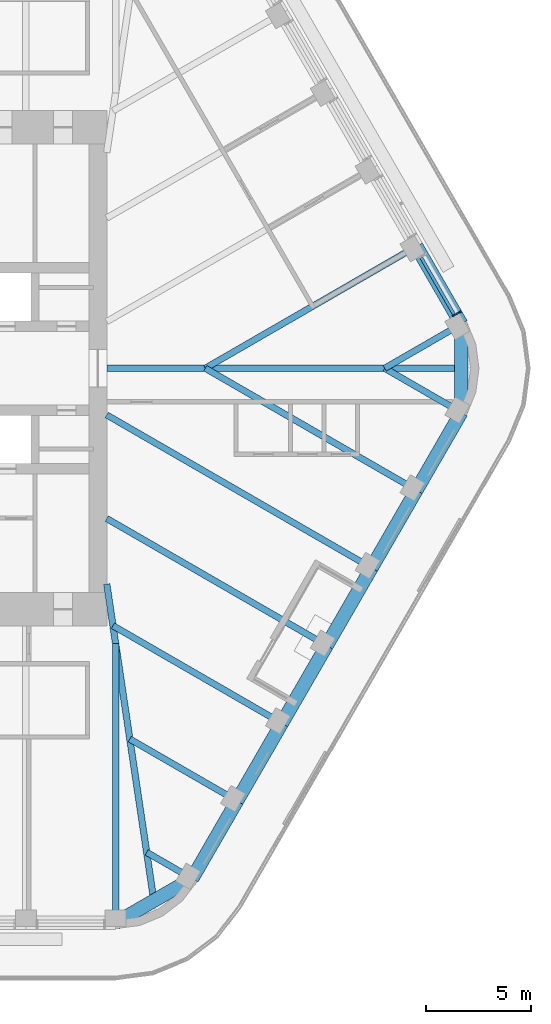
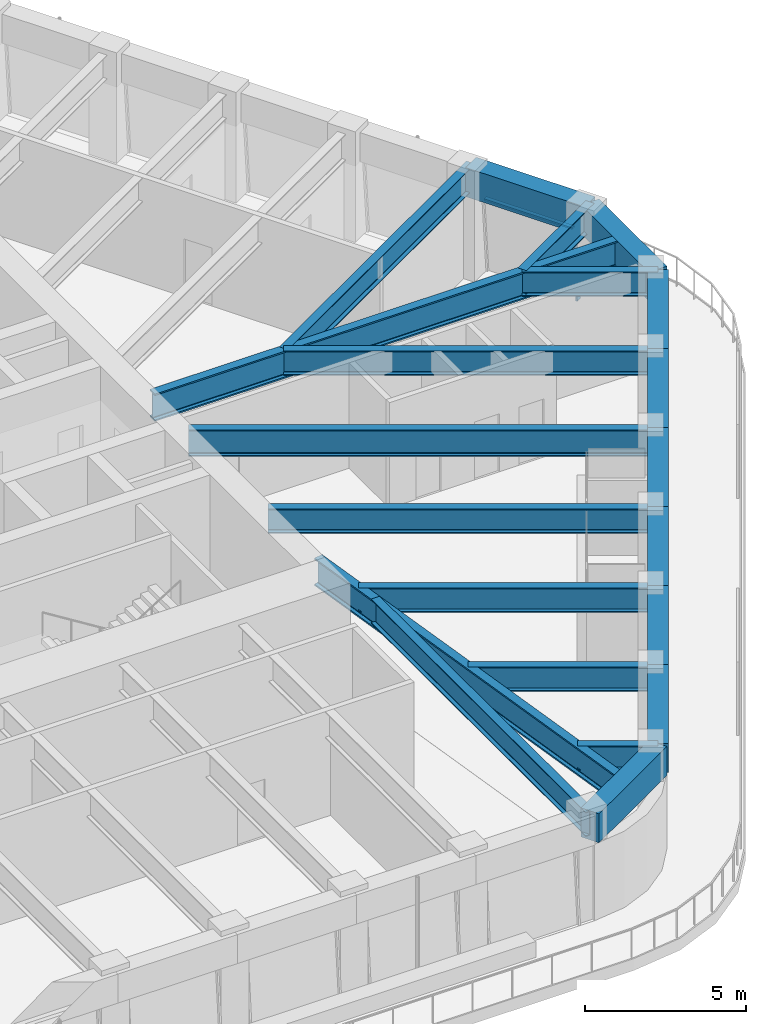
# One storey, part 5 of 19: 21 beams, 2 members, 1 element without a shape of its own.
"""IFC4 building model written with IfcOpenShell, lengths in metres."""

import ifcopenshell
import ifcopenshell.guid

model = None  # the IFC model being written
_history = None  # IfcOwnerHistory: only IFC2X3 demands one
_inside = {}  # id of a spatial element -> (the spatial element, [elements in it])
_under = {}  # id of a project, library or spatial element -> (it, [spatial elements below it])
_declared = {}  # id of a project -> (the project, [libraries it declares])
_typed = {}  # id of a type object -> (the type object, [elements of that type])
_made_of = {}  # id of a material, layer set ... -> (it, [elements and type objects made of it])


def new_model(schema):
    """Start an empty IFC model of exactly this schema.

    Asked for "IFC4X3", IfcOpenShell would pick the latest addendum, in which some entities
    have other attributes; the version numbers below select the first issue.
    IFC2X3 requires an IfcOwnerHistory on every rooted entity: one is made here for all.
    """
    global model, _history
    if schema == "IFC4X3":
        model = ifcopenshell.file(schema_version=(4, 3, 0, 0))
    else:
        model = ifcopenshell.file(schema=schema)
    _inside.clear()
    _under.clear()
    _declared.clear()
    _typed.clear()
    _made_of.clear()
    _history = None
    if model.schema == "IFC2X3":
        org = make("IfcOrganization", Name="unknown")
        user = make(
            "IfcPersonAndOrganization",
            ThePerson=make("IfcPerson", FamilyName="unknown"),
            TheOrganization=org,
        )
        app = make(
            "IfcApplication",
            ApplicationDeveloper=org,
            Version="unknown",
            ApplicationFullName="unknown",
            ApplicationIdentifier="unknown",
        )
        _history = make(
            "IfcOwnerHistory",
            OwningUser=user,
            OwningApplication=app,
            ChangeAction="ADDED",
            CreationDate=0,
        )
    return model


def make(cls, **values):
    """One entity of the class cls with the attributes given. An attribute that is None is left unset."""
    return model.create_entity(
        cls, **{name: value for name, value in values.items() if value is not None}
    )


def rooted(cls, **values):
    """An entity with a GlobalId (a new one), such as an element, a storey or a relation."""
    return make(cls, GlobalId=ifcopenshell.guid.new(), OwnerHistory=_history, **values)


def si_unit(unit_type, name, prefix=None):
    """IfcSIUnit, for example si_unit("LENGTHUNIT", "METRE", prefix="MILLI")."""
    return make("IfcSIUnit", UnitType=unit_type, Prefix=prefix, Name=name)


def assignment(units):
    """IfcUnitAssignment: the units of a project."""
    return None if units is None else make("IfcUnitAssignment", Units=units)


def point(xyz):
    """IfcCartesianPoint."""
    return None if xyz is None else make("IfcCartesianPoint", Coordinates=xyz)


def direction(xyz):
    """IfcDirection."""
    return None if xyz is None else make("IfcDirection", DirectionRatios=xyz)


def frame(location, z_axis=None, x_axis=None):
    """IfcAxis2Placement3D, a coordinate frame: its origin and axes. An axis left out is left unset."""
    return make(
        "IfcAxis2Placement3D",
        Location=point(location),
        Axis=direction(z_axis),
        RefDirection=direction(x_axis),
    )


def frame_2d(location, x_axis=None):
    """IfcAxis2Placement2D, a coordinate frame in the plane: its origin and x axis."""
    return make(
        "IfcAxis2Placement2D", Location=point(location), RefDirection=direction(x_axis)
    )


def origin():
    """The frame at (0, 0, 0) with its axes left unset."""
    return frame((0.0, 0.0, 0.0))


def origin_2d():
    """The frame at (0, 0) in the plane with its x axis left unset."""
    return frame_2d((0.0, 0.0))


def place(relative_to, where):
    """IfcLocalPlacement: puts the frame where relative to a parent placement (None: the world)."""
    return make(
        "IfcLocalPlacement", PlacementRelTo=relative_to, RelativePlacement=where
    )


def context(
    kind, dimensions, precision=None, world=None, true_north=None, identifier=None
):
    """IfcGeometricRepresentationContext, for example the 3D "Model" context."""
    return make(
        "IfcGeometricRepresentationContext",
        ContextIdentifier=identifier,
        ContextType=kind,
        CoordinateSpaceDimension=dimensions,
        Precision=precision,
        WorldCoordinateSystem=world,
        TrueNorth=true_north,
    )


def subcontext(parent, identifier, kind, view, scale=None):
    """IfcGeometricRepresentationSubContext, for example "Body" below "Model"."""
    return make(
        "IfcGeometricRepresentationSubContext",
        ContextIdentifier=identifier,
        ContextType=kind,
        ParentContext=parent,
        TargetScale=scale,
        TargetView=view,
    )


def project(units=None, contexts=None):
    """IfcProject with its units and contexts."""
    return rooted(
        "IfcProject",
        Name="project",
        RepresentationContexts=contexts,
        UnitsInContext=assignment(units),
    )


def spatial(cls, under=None, at=None, **own):
    """A site, building, storey or space (cls), placed at a placement, below another one or the project."""
    s = rooted(cls, ObjectPlacement=at, **own)
    if under is not None:
        _under.setdefault(under.id(), (under, []))[1].append(s)
    return s


def profile(cls, at=None, kind="AREA", **sizes):
    """A parametric profile (cls). Its sizes go by their IFC names, for example OverallWidth=200.0."""
    return make(cls, ProfileType=kind, Position=at, **sizes)


def rectangle(**sizes):
    """IfcRectangleProfileDef."""
    return profile("IfcRectangleProfileDef", **sizes)


def i_section(**sizes):
    """IfcIShapeProfileDef."""
    return profile("IfcIShapeProfileDef", **sizes)


def extrude(swept, where, along, depth):
    """IfcExtrudedAreaSolid: the profile swept, set in the frame where, extruded along a direction by depth."""
    return make(
        "IfcExtrudedAreaSolid",
        SweptArea=swept,
        Position=where,
        ExtrudedDirection=direction(along),
        Depth=depth,
    )


def shape(context_of_items, identifier, shape_type, items):
    """IfcShapeRepresentation: the items that make up one representation, for example the "Body"."""
    return make(
        "IfcShapeRepresentation",
        ContextOfItems=context_of_items,
        RepresentationIdentifier=identifier,
        RepresentationType=shape_type,
        Items=items,
    )


def material(Name=None, Category=None):
    """IfcMaterial."""
    return make("IfcMaterial", Name=Name, Category=Category)


def material_profile(
    of_material, cross_section, Name=None, Category=None, Priority=None
):
    """IfcMaterialProfile: a cross section and its material."""
    return make(
        "IfcMaterialProfile",
        Name=Name,
        Material=of_material,
        Profile=cross_section,
        Priority=Priority,
        Category=Category,
    )


def profile_set(profiles, Name=None, composite=None):
    """IfcMaterialProfileSet."""
    return make(
        "IfcMaterialProfileSet",
        Name=Name,
        MaterialProfiles=profiles,
        CompositeProfile=composite,
    )


def made_of(thing, what):
    """Note that an element or type object is made of a material, layer set ...; save() writes the relation."""
    if what is not None:
        _made_of.setdefault(what.id(), (what, []))[1].append(thing)
    return thing


def type_object(cls, material=None, **own):
    """A type object (cls), such as IfcWallType, which elements share."""
    return made_of(rooted(cls, **own), material)


def element(
    cls,
    number,
    at=None,
    inside=None,
    cuts=None,
    type_object=None,
    material=None,
    context=None,
    identifier="Body",
    shape_type=None,
    held_by="IfcProductDefinitionShape",
    body=None,
    shapes=None,
    **own,
):
    """One element of the class cls, such as IfcWall. Its Tag is "e" and its number.

    at: its placement. inside: the storey or other place that contains it. cuts: it is an
    opening in that element (IfcRelVoidsElement). A single representation is given by context,
    identifier, shape_type and body (its items); several are given by shapes. held_by: the class
    of the entity that holds the representations. save() writes the other relations.
    """
    e = rooted(cls, Tag="e%d" % number, ObjectPlacement=at, **own)
    if body is not None:
        shapes = [shape(context, identifier, shape_type, body)]
    if shapes is not None:
        e.Representation = make(held_by, Representations=shapes)
    if inside is not None:
        _inside.setdefault(inside.id(), (inside, []))[1].append(e)
    if cuts is not None:
        rooted(
            "IfcRelVoidsElement", RelatingBuildingElement=cuts, RelatedOpeningElement=e
        )
    if type_object is not None:
        _typed.setdefault(type_object.id(), (type_object, []))[1].append(e)
    return made_of(e, material)


def aggregate(whole, parts):
    """IfcRelAggregates: a whole, such as a stair, and the parts it consists of."""
    return rooted("IfcRelAggregates", RelatingObject=whole, RelatedObjects=parts)


def save(model, path):
    """Write the relations noted so far, then the file.

    IfcRelAggregates (storeys below a building ...), IfcRelContainedInSpatialStructure (elements
    in a storey), IfcRelDefinesByType, IfcRelAssociatesMaterial and IfcRelDeclares: one each for
    every whole, place, type object, material and project.
    """
    for whole, parts in _under.values():
        aggregate(whole, parts)
    for where, things in _inside.values():
        rooted(
            "IfcRelContainedInSpatialStructure",
            RelatedElements=things,
            RelatingStructure=where,
        )
    for kind, things in _typed.values():
        rooted("IfcRelDefinesByType", RelatedObjects=things, RelatingType=kind)
    for what, things in _made_of.values():
        rooted("IfcRelAssociatesMaterial", RelatedObjects=things, RelatingMaterial=what)
    for by, libraries in _declared.values():
        rooted("IfcRelDeclares", RelatingContext=by, RelatedDefinitions=libraries)
    model.write(path)


model = new_model("IFC4")

# Units and contexts
model_context = context("Model", 3, precision=1e-05, world=origin(), true_north=direction((0.0, 1.0)))
body_context = subcontext(model_context, "Body", "Model", "MODEL_VIEW")
ifc_project = project(units=[si_unit("LENGTHUNIT", "METRE"), si_unit("AREAUNIT", "SQUARE_METRE"), si_unit("VOLUMEUNIT", "CUBIC_METRE"), si_unit("PLANEANGLEUNIT", "RADIAN"), si_unit("MASSUNIT", "GRAM", prefix="KILO")], contexts=[model_context])

# Site, building, storey
site_placement = place(None, origin())
site = spatial("IfcSite", under=ifc_project, at=site_placement, CompositionType="ELEMENT")
building_placement = place(site_placement, origin())
building = spatial("IfcBuilding", under=site, at=building_placement, Name="Tarfa Lantern Tower", CompositionType="ELEMENT")
storey_placement = place(building_placement, frame((0.0, 0.0, 349.300048828125)))
storey = spatial("IfcBuildingStorey", under=building, at=storey_placement, Name="L79", CompositionType="ELEMENT", Elevation=349.300048828125)

# Curtain wall, members
ifc_material_1 = material(Name="Aluminium framed curtain wall", Category="aluminium")
curtain_wall_type = type_object("IfcCurtainWallType", Name="CW4 CANTED GLAZING EXECUTIVE ZONE 2900", PredefinedType="USERDEFINED", material=ifc_material_1)
curtain_wall_placement = place(storey_placement, origin())
curtain_wall = element("IfcCurtainWall", 1, at=curtain_wall_placement, inside=storey, type_object=curtain_wall_type, Name="CW4 NE L79", ObjectType="CURTAIN WALL", PredefinedType="USERDEFINED")
ifc_material_2 = material(Name="Aluminium mullion", Category="aluminium")
ifc_material_profile_1 = material_profile(ifc_material_2, rectangle(XDim=0.06494140625, YDim=0.199951171875, at=origin_2d()), Name="AL MULLION 65x200")
ifc_profile_set_1 = profile_set([ifc_material_profile_1], Name="Aluminium mullion")
member_type_1 = type_object("IfcMemberType", Name="CWM1 MULLION 65x200", PredefinedType="MULLION", material=ifc_profile_set_1)
member_1_placement = place(storey_placement, frame((29.236328125, 2.6611328125, 0.0), z_axis=(-0.074399820079, -0.042945555672, 0.996303340364), x_axis=(0.499919672301, -0.866071776036, 0.0)))
member_1 = element("IfcMember", 2, at=member_1_placement, type_object=member_type_1, Name="CW4 mullion 1", PredefinedType="MULLION", context=body_context, shape_type="SweptSolid", body=[
    extrude(rectangle(XDim=0.06494140625, YDim=0.199951171875, at=origin_2d()), origin(), (0.0, 0.0, 1.0), 2.91064453125),
])
ifc_material_3 = material(Name="Aluminium transom", Category="aluminium")
ifc_material_profile_2 = material_profile(ifc_material_3, rectangle(XDim=0.14990234375, YDim=0.06494140625, at=origin_2d()), Name="AL TRANSOM 150x65")
ifc_profile_set_2 = profile_set([ifc_material_profile_2], Name="Aluminium transom")
member_type_2 = type_object("IfcMemberType", Name="CWT1 TRANSOM 150x65", PredefinedType="USERDEFINED", material=ifc_profile_set_2)
member_2_placement = place(storey_placement, frame((29.006103515625, 2.565673828125, 2.867431640625), z_axis=(-0.500037562771, 0.866003715822, 0.0), x_axis=(-0.866003715822, -0.500037562771, 0.0)))
member_2 = element("IfcMember", 3, at=member_2_placement, type_object=member_type_2, Name="CW4 transom 1.2", ObjectType="TRANSOM", PredefinedType="USERDEFINED", context=body_context, shape_type="SweptSolid", body=[
    extrude(rectangle(XDim=0.14990234375, YDim=0.06494140625, at=origin_2d()), origin(), (0.0, 0.0, 1.0), 3.152099609375),
])
aggregate(curtain_wall, [member_1, member_2])

# Beams
ifc_material_4 = material(Name="Concrete C80/95", Category="concrete")
ifc_material_profile_3 = material_profile(ifc_material_4, rectangle(XDim=0.64990234375, YDim=1.10009765625, at=origin_2d()), Name="RC 650x1100")
ifc_profile_set_3 = profile_set([ifc_material_profile_3], Name="Concrete C80/95")
beam_type_1 = type_object("IfcBeamType", Name="EB4 RC 650x1100", PredefinedType="SPANDREL", material=ifc_profile_set_3)
beam_1_placement = place(storey_placement, frame((29.3466796875, 2.110107421875, 3.449951171875), z_axis=(-0.499984039138, 0.866034618596, 0.0), x_axis=(-0.866034618596, -0.499984039138, 0.0)))
element("IfcBeam", 4, at=beam_1_placement, inside=storey, type_object=beam_type_1, Name="Edge beam NE0", PredefinedType="SPANDREL", context=body_context, shape_type="SweptSolid", body=[
    extrude(rectangle(XDim=0.64990234375, YDim=1.10009765625, at=origin_2d()), origin(), (0.0, 0.0, 1.0), 4.281982421875),
])
beam_2_placement = place(storey_placement, frame((12.845947265625, -26.469970703125, 3.449951171875), z_axis=(0.866048788483, 0.499959494327, 0.0), x_axis=(-0.499959494327, 0.866048788483, 0.0)))
element("IfcBeam", 5, at=beam_2_placement, inside=storey, type_object=beam_type_1, Name="Edge beam S6", PredefinedType="SPANDREL", context=body_context, shape_type="SweptSolid", body=[
    extrude(rectangle(XDim=0.64990234375, YDim=1.10009765625, at=origin_2d()), origin(), (0.0, 0.0, 1.0), 4.219970703125),
])
for number, where, z_axis, x_axis, name in (
    (6, (16.500732421875, -24.360107421875, 3.449951171875), (0.499959351497, 0.866048870937, 0.0), (-0.866048870937, 0.499959351497, 0.0), "Edge beam SE0"),
    (7, (18.6416015625, -20.651611328125, 3.449951171875), (0.500026801138, 0.866009929587, 0.0), (-0.866009929587, 0.500026801138, 0.0), "Edge beam SE1"),
    (8, (20.78271484375, -16.943359375, 3.449951171875), (0.499984039138, 0.866034618596, 0.0), (-0.866034618596, 0.499984039138, 0.0), "Edge beam SE2"),
):
    element("IfcBeam", number, at=place(storey_placement, frame(where, z_axis=z_axis, x_axis=x_axis)), inside=storey, type_object=beam_type_1, Name=name, PredefinedType="SPANDREL", context=body_context, shape_type="SweptSolid", body=[
        extrude(rectangle(XDim=0.64990234375, YDim=1.10009765625, at=origin_2d()), origin(), (0.0, 0.0, 1.0), 4.281982421875),
    ])
beam_3_placement = place(storey_placement, frame((22.923583984375, -13.235107421875, 3.449951171875), z_axis=(0.500002112793, 0.866024183959, 0.0), x_axis=(-0.866024183959, 0.500002112793, 0.0)))
element("IfcBeam", 9, at=beam_3_placement, inside=storey, type_object=beam_type_1, Name="Edge beam SE3", PredefinedType="SPANDREL", context=body_context, shape_type="SweptSolid", body=[
    extrude(rectangle(XDim=0.64990234375, YDim=1.10009765625, at=origin_2d()), origin(), (0.0, 0.0, 1.0), 4.2822265625),
])
for number, where, z_axis, x_axis, name in (
    (10, (25.064697265625, -9.526611328125, 3.449951171875), (0.500026801138, 0.866009929587, 0.0), (-0.866009929587, 0.500026801138, 0.0), "Edge beam SE4"),
    (11, (27.205810546875, -5.818359375, 3.449951171875), (0.499984039138, 0.866034618596, 0.0), (-0.866034618596, 0.499984039138, 0.0), "Edge beam SE5"),
):
    element("IfcBeam", number, at=place(storey_placement, frame(where, z_axis=z_axis, x_axis=x_axis)), inside=storey, type_object=beam_type_1, Name=name, PredefinedType="SPANDREL", context=body_context, shape_type="SweptSolid", body=[
        extrude(rectangle(XDim=0.64990234375, YDim=1.10009765625, at=origin_2d()), origin(), (0.0, 0.0, 1.0), 4.281982421875),
    ])
beam_4_placement = place(storey_placement, frame((29.3466796875, -2.110107421875, 3.449951171875), z_axis=(0.0, 1.0, 0.0), x_axis=(-1.0, 0.0, 0.0)))
element("IfcBeam", 12, at=beam_4_placement, inside=storey, type_object=beam_type_1, Name="Edge beam SE6", PredefinedType="SPANDREL", context=body_context, shape_type="SweptSolid", body=[
    extrude(rectangle(XDim=0.64990234375, YDim=1.10009765625, at=origin_2d()), origin(), (0.0, 0.0, 1.0), 4.22021484375),
])
ifc_material_5 = material(Name="Steel S460M", Category="steel")
ifc_material_profile_4 = material_profile(ifc_material_5, i_section(OverallWidth=0.302001953125, OverallDepth=1.008056640625, WebThickness=0.02099609375, FlangeThickness=0.0400390625, FilletRadius=0.030029296875, at=origin_2d()), Name="UB1016x305x349")
ifc_profile_set_4 = profile_set([ifc_material_profile_4], Name="Steel S460M")
beam_type_2 = type_object("IfcBeamType", Name="UB1016x305x349", PredefinedType="BEAM", material=ifc_profile_set_4)
beam_5_placement = place(storey_placement, frame((25.064697265625, -9.526611328125, 3.495849609375), z_axis=(-0.866029591389, 0.499992746786, 0.0), x_axis=(-0.499992746786, -0.866029591389, 0.0)))
element("IfcBeam", 13, at=beam_5_placement, inside=storey, type_object=beam_type_2, Name="Floor beam SE4", PredefinedType="BEAM", context=body_context, shape_type="SweptSolid", body=[
    extrude(i_section(OverallWidth=0.302001953125, OverallDepth=1.008056640625, WebThickness=0.02099609375, FlangeThickness=0.0400390625, FilletRadius=0.030029296875, at=origin_2d()), origin(), (0.0, 0.0, 1.0), 14.594970703125),
])
ifc_material_profile_5 = material_profile(ifc_material_5, i_section(OverallWidth=0.30859375, OverallDepth=1.036376953125, WebThickness=0.030029296875, FlangeThickness=0.05419921875, FilletRadius=0.030029296875, at=origin_2d()), Name="UB1016x305x487")
ifc_profile_set_5 = profile_set([ifc_material_profile_5], Name="Steel S460M")
beam_type_3 = type_object("IfcBeamType", Name="UB1016x305x487", PredefinedType="BEAM", material=ifc_profile_set_5)
beam_6_placement = place(storey_placement, frame((12.425048828125, 0.0, 3.481689453125), z_axis=(1.0, 0.0, 0.0), x_axis=(0.0, 1.0, 0.0)))
element("IfcBeam", 14, at=beam_6_placement, inside=storey, type_object=beam_type_3, Name="Hip girder E", PredefinedType="BEAM", context=body_context, shape_type="SweptSolid", body=[
    extrude(i_section(OverallWidth=0.30859375, OverallDepth=1.036376953125, WebThickness=0.030029296875, FlangeThickness=0.05419921875, FilletRadius=0.030029296875, at=origin_2d()), origin(), (0.0, 0.0, 1.0), 16.921630859375),
])
beam_7_placement = place(storey_placement, frame((12.425048828125, -10.300048828125, 3.481689453125), z_axis=(0.147127069073, -0.989117599452, 0.0), x_axis=(0.989117599452, 0.147127069073, 0.0)))
element("IfcBeam", 15, at=beam_7_placement, inside=storey, type_object=beam_type_3, Name="Hip girder SE", PredefinedType="BEAM", context=body_context, shape_type="SweptSolid", body=[
    extrude(i_section(OverallWidth=0.30859375, OverallDepth=1.036376953125, WebThickness=0.030029296875, FlangeThickness=0.05419921875, FilletRadius=0.030029296875, at=origin_2d()), origin(), (0.0, 0.0, 1.0), 15.28125),
])
ifc_material_profile_6 = material_profile(ifc_material_5, i_section(OverallWidth=0.305419921875, OverallDepth=0.91845703125, WebThickness=0.017333984375, FlangeThickness=0.02783203125, FilletRadius=0.01904296875, at=origin_2d()), Name="UB914x305x253")
ifc_profile_set_6 = profile_set([ifc_material_profile_6], Name="Steel S460M")
beam_type_4 = type_object("IfcBeamType", Name="UB914x305x253", PredefinedType="BEAM", material=ifc_profile_set_6)
beam_8_placement = place(storey_placement, frame((29.3466796875, 2.110107421875, 3.540771484375), z_axis=(-0.866009274789, -0.500027935199, 0.0), x_axis=(0.500027935199, -0.866009274789, 0.0)))
element("IfcBeam", 16, at=beam_8_placement, inside=storey, type_object=beam_type_4, Name="Floor beam NE0", PredefinedType="BEAM", context=body_context, shape_type="SweptSolid", body=[
    extrude(i_section(OverallWidth=0.305419921875, OverallDepth=0.91845703125, WebThickness=0.017333984375, FlangeThickness=0.02783203125, FilletRadius=0.01904296875, at=origin_2d()), origin(), (0.0, 0.0, 1.0), 4.219970703125),
])
beam_9_placement = place(storey_placement, frame((27.205810546875, 5.818359375, 3.540771484375), z_axis=(-0.866024171998, -0.500002133511, 0.0), x_axis=(0.500002133511, -0.866024171998, 0.0)))
element("IfcBeam", 17, at=beam_9_placement, inside=storey, type_object=beam_type_4, Name="Floor beam NE1", PredefinedType="BEAM", context=body_context, shape_type="SweptSolid", body=[
    extrude(i_section(OverallWidth=0.305419921875, OverallDepth=0.91845703125, WebThickness=0.017333984375, FlangeThickness=0.02783203125, FilletRadius=0.01904296875, at=origin_2d()), origin(), (0.0, 0.0, 1.0), 11.63671875),
])
beam_10_placement = place(storey_placement, frame((12.845947265625, -26.469970703125, 3.540771484375), z_axis=(0.0, 1.0, 0.0), x_axis=(-1.0, 0.0, 0.0)))
element("IfcBeam", 18, at=beam_10_placement, inside=storey, type_object=beam_type_4, Name="Floor beam S6", PredefinedType="BEAM", context=body_context, shape_type="SweptSolid", body=[
    extrude(i_section(OverallWidth=0.305419921875, OverallDepth=0.91845703125, WebThickness=0.017333984375, FlangeThickness=0.02783203125, FilletRadius=0.01904296875, at=origin_2d()), origin(), (0.0, 0.0, 1.0), 13.33935546875),
])
beam_11_placement = place(storey_placement, frame((16.500732421875, -24.360107421875, 3.540771484375), z_axis=(-0.865992557167, 0.500056887695, 0.0), x_axis=(-0.500056887695, -0.865992557167, 0.0)))
element("IfcBeam", 19, at=beam_11_placement, inside=storey, type_object=beam_type_4, Name="Floor beam SE0", PredefinedType="BEAM", context=body_context, shape_type="SweptSolid", body=[
    extrude(i_section(OverallWidth=0.305419921875, OverallDepth=0.91845703125, WebThickness=0.017333984375, FlangeThickness=0.02783203125, FilletRadius=0.01904296875, at=origin_2d()), origin(), (0.0, 0.0, 1.0), 2.506591796875),
])
beam_12_placement = place(storey_placement, frame((18.6416015625, -20.651611328125, 3.540771484375), z_axis=(-0.866024549157, 0.500001480256, 0.0), x_axis=(-0.500001480256, -0.866024549157, 0.0)))
element("IfcBeam", 20, at=beam_12_placement, inside=storey, type_object=beam_type_4, Name="Floor beam SE1", PredefinedType="BEAM", context=body_context, shape_type="SweptSolid", body=[
    extrude(i_section(OverallWidth=0.305419921875, OverallDepth=0.91845703125, WebThickness=0.017333984375, FlangeThickness=0.02783203125, FilletRadius=0.01904296875, at=origin_2d()), origin(), (0.0, 0.0, 1.0), 5.90771484375),
])
beam_13_placement = place(storey_placement, frame((20.78271484375, -16.943359375, 3.540771484375), z_axis=(-0.866021806508, 0.500006230613, 0.0), x_axis=(-0.500006230613, -0.866021806508, 0.0)))
element("IfcBeam", 21, at=beam_13_placement, inside=storey, type_object=beam_type_4, Name="Floor beam SE2", PredefinedType="BEAM", context=body_context, shape_type="SweptSolid", body=[
    extrude(i_section(OverallWidth=0.305419921875, OverallDepth=0.91845703125, WebThickness=0.017333984375, FlangeThickness=0.02783203125, FilletRadius=0.01904296875, at=origin_2d()), origin(), (0.0, 0.0, 1.0), 9.30908203125),
])
beam_14_placement = place(storey_placement, frame((22.923583984375, -13.235107421875, 3.540771484375), z_axis=(-0.86601856927, 0.500011837539, 0.0), x_axis=(-0.500011837539, -0.86601856927, 0.0)))
element("IfcBeam", 22, at=beam_14_placement, inside=storey, type_object=beam_type_4, Name="Floor beam SE3", PredefinedType="BEAM", context=body_context, shape_type="SweptSolid", body=[
    extrude(i_section(OverallWidth=0.305419921875, OverallDepth=0.91845703125, WebThickness=0.017333984375, FlangeThickness=0.02783203125, FilletRadius=0.01904296875, at=origin_2d()), origin(), (0.0, 0.0, 1.0), 12.122802734375),
])
beam_15_placement = place(storey_placement, frame((27.205810546875, -5.818359375, 3.540771484375), z_axis=(-0.866024171998, 0.500002133511, 0.0), x_axis=(-0.500002133511, -0.866024171998, 0.0)))
element("IfcBeam", 23, at=beam_15_placement, inside=storey, type_object=beam_type_4, Name="Floor beam SE5", PredefinedType="BEAM", context=body_context, shape_type="SweptSolid", body=[
    extrude(i_section(OverallWidth=0.305419921875, OverallDepth=0.91845703125, WebThickness=0.017333984375, FlangeThickness=0.02783203125, FilletRadius=0.01904296875, at=origin_2d()), origin(), (0.0, 0.0, 1.0), 11.63671875),
])
beam_16_placement = place(storey_placement, frame((29.3466796875, -2.110107421875, 3.540771484375), z_axis=(-0.866009274789, 0.500027935199, 0.0), x_axis=(-0.500027935199, -0.866009274789, 0.0)))
element("IfcBeam", 24, at=beam_16_placement, inside=storey, type_object=beam_type_4, Name="Floor beam SE6", PredefinedType="BEAM", context=body_context, shape_type="SweptSolid", body=[
    extrude(i_section(OverallWidth=0.305419921875, OverallDepth=0.91845703125, WebThickness=0.017333984375, FlangeThickness=0.02783203125, FilletRadius=0.01904296875, at=origin_2d()), origin(), (0.0, 0.0, 1.0), 4.219970703125),
])

save(model, "model.ifc")
